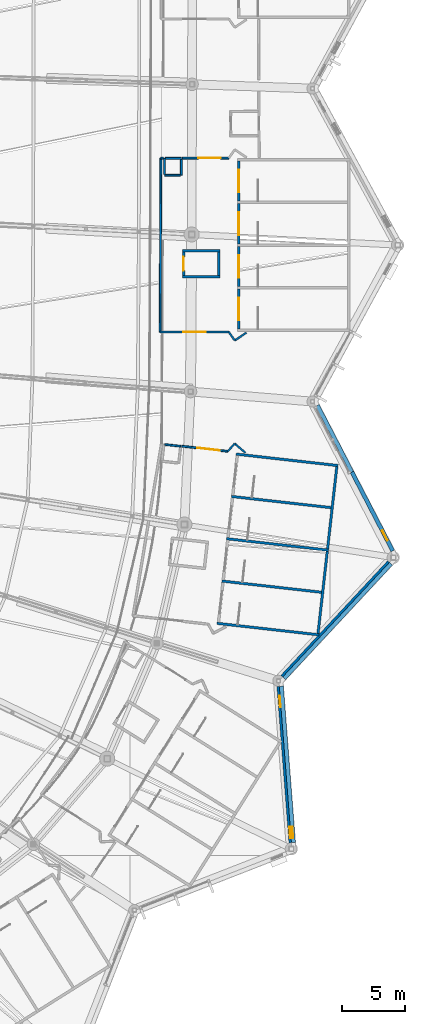
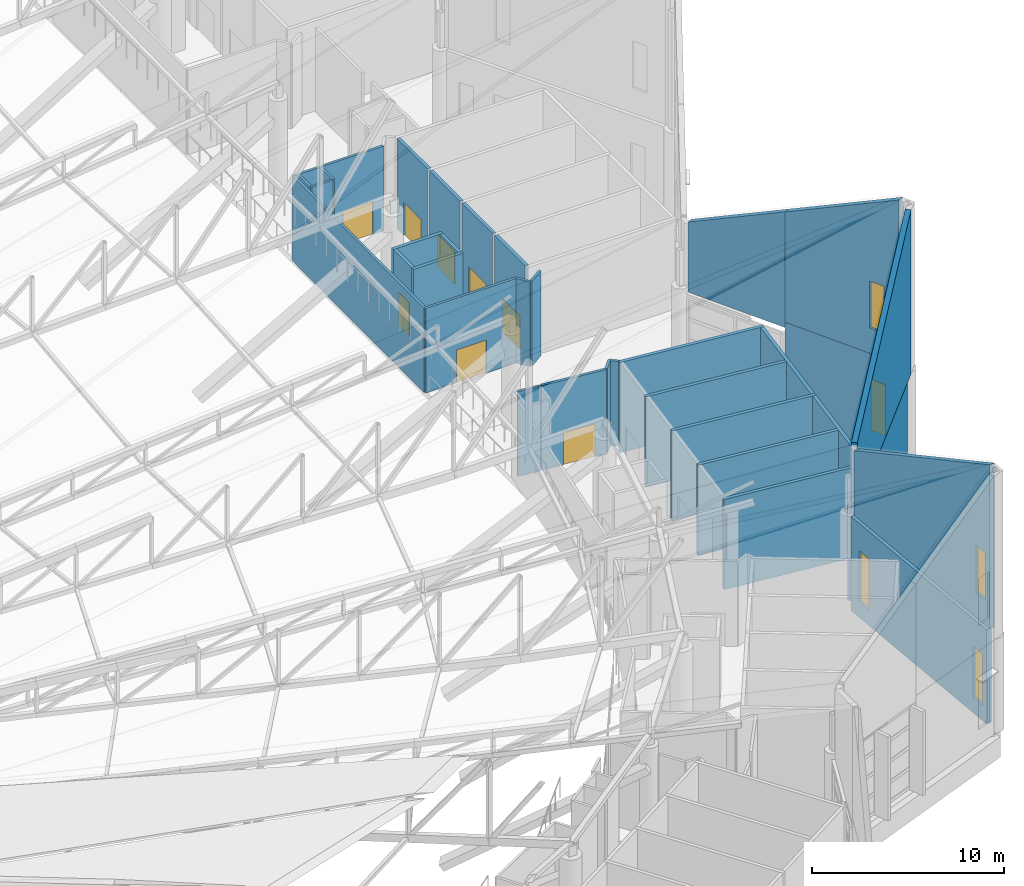
# One storey, part 257 of 344: 36 walls, 8 doors, 5 windows, 13 openings.
"""IFC4 building model written with IfcOpenShell, lengths in metres."""

from ifc_helpers import new_model, si_unit, direction, frame, frame_2d, origin, place, context, subcontext, project, spatial, polyline, rectangle, outline, extrude, material, layer, layer_set, type_object, element, fill, save


model = new_model("IFC4")

# Units and contexts
model_context = context("Model", 3, precision=1e-05, world=origin(), true_north=direction((0.0, 1.0)))
body_context = subcontext(model_context, "Body", "Model", "MODEL_VIEW")
ifc_project = project(units=[si_unit("LENGTHUNIT", "METRE"), si_unit("AREAUNIT", "SQUARE_METRE"), si_unit("VOLUMEUNIT", "CUBIC_METRE"), si_unit("PLANEANGLEUNIT", "RADIAN"), si_unit("MASSUNIT", "GRAM", prefix="KILO")], contexts=[model_context])

# Site, building, storey
site_placement = place(None, origin())
site = spatial("IfcSite", under=ifc_project, at=site_placement, CompositionType="ELEMENT")
building_placement = place(site_placement, origin())
building = spatial("IfcBuilding", under=site, at=building_placement, Name="Meseta Stadium", CompositionType="ELEMENT")
storey_placement = place(building_placement, frame((0.0, 0.0, 24.0)))
storey = spatial("IfcBuildingStorey", under=building, at=storey_placement, Name="L04", CompositionType="ELEMENT", Elevation=24.0)

# Walls
ifc_material_1 = material(Name="Concrete C40/50", Category="concrete")
ifc_layer_1 = layer(ifc_material_1, 0.199951171875)
ifc_layer_set_1 = layer_set([ifc_layer_1], Name="Core divider wall 200")
wall_type_1 = type_object("IfcWallType", Name="Core divider wall 200", PredefinedType="SHEAR", material=ifc_layer_set_1)
wall_1_placement = place(storey_placement, frame((95.503662109375, -58.999267578125, 0.0), z_axis=(0.0, 0.0, 1.0), x_axis=(-0.993710792168, 0.111977058046, 0.0)))
element("IfcWall", 1, at=wall_1_placement, inside=storey, type_object=wall_type_1, Name="Core 01 L04 stair A divider wall", PredefinedType="SHEAR", context=body_context, shape_type="SweptSolid", body=[
    extrude(rectangle(XDim=8.199951171875, YDim=0.199951171875, at=frame_2d((4.10009765625, 0.0))), origin(), (0.0, 0.0, 1.0), 5.75),
])
wall_2_placement = place(storey_placement, frame((96.264892578125, -52.241943359375, 0.0), z_axis=(0.0, 0.0, 1.0), x_axis=(-0.993713731549, 0.111950970206, 0.0)))
element("IfcWall", 2, at=wall_2_placement, inside=storey, type_object=wall_type_1, Name="Core 01 L04 stair B divider wall", PredefinedType="SHEAR", context=body_context, shape_type="SweptSolid", body=[
    extrude(rectangle(XDim=8.19970703125, YDim=0.199951171875, at=frame_2d((4.099853515625, 0.0))), origin(), (0.0, 0.0, 1.0), 5.75),
])
ifc_material_2 = material(Name="Concrete C40/50", Category="concrete")
ifc_layer_2 = layer(ifc_material_2, 0.199951171875)
ifc_layer_set_2 = layer_set([ifc_layer_2], Name="Core shaft wall 200")
wall_type_2 = type_object("IfcWallType", Name="Core shaft wall 200", PredefinedType="SHEAR", material=ifc_layer_set_2)
wall_3_placement = place(storey_placement, frame((95.123046875, -62.3779296875, 0.0), z_axis=(0.0, 0.0, 1.0), x_axis=(-0.993710792168, 0.111977058046, 0.0)))
element("IfcWall", 3, at=wall_3_placement, inside=storey, type_object=wall_type_2, Name="Core 01 L04 stair wall A-side", PredefinedType="SHEAR", context=body_context, shape_type="SweptSolid", body=[
    extrude(rectangle(XDim=8.199951171875, YDim=0.199951171875, at=frame_2d((4.10009765625, 0.0))), origin(), (0.0, 0.0, 1.0), 5.75),
])
wall_4_placement = place(storey_placement, frame((95.884521484375, -55.62060546875, 0.0), z_axis=(0.0, 0.0, 1.0), x_axis=(-0.993711165474, 0.111973745194, 0.0)))
element("IfcWall", 4, at=wall_4_placement, inside=storey, type_object=wall_type_2, Name="Core 01 L04 stair wall shared", PredefinedType="SHEAR", context=body_context, shape_type="SweptSolid", body=[
    extrude(rectangle(XDim=8.2001953125, YDim=0.199951171875, at=frame_2d((4.10009765625, 0.0))), origin(), (0.0, 0.0, 1.0), 5.75),
])
wall_5_placement = place(storey_placement, frame((96.645751953125, -48.86328125, 0.0), z_axis=(0.0, 0.0, 1.0), x_axis=(-0.993714104693, 0.111947658007, 0.0)))
element("IfcWall", 5, at=wall_5_placement, inside=storey, type_object=wall_type_2, Name="Core 01 L04 stair wall B-side", PredefinedType="SHEAR", context=body_context, shape_type="SweptSolid", body=[
    extrude(rectangle(XDim=8.199951171875, YDim=0.199951171875, at=frame_2d((4.10009765625, 0.0))), origin(), (0.0, 0.0, 1.0), 5.75),
])
for number, where, z_axis, x_axis, name in (
    (6, (95.034912109375, -62.267333984375, 0.0), (0.0, 0.0, 1.0), (0.111933579504, 0.993715690617, 0.0), "Core 01 L04 stair A outer end wall"),
    (7, (95.796142578125, -55.510009765625, 0.0), (0.0, 0.0, 1.0), (0.111970106426, 0.993711575492, 0.0), "Core 01 L04 stair B outer end wall"),
):
    element("IfcWall", number, at=place(storey_placement, frame(where, z_axis=z_axis, x_axis=x_axis)), inside=storey, type_object=wall_type_2, Name=name, PredefinedType="SHEAR", context=body_context, shape_type="SweptSolid", body=[
        extrude(rectangle(XDim=6.60009765625, YDim=0.199951171875, at=frame_2d((3.300048828125, 0.0))), origin(), (0.0, 0.0, 1.0), 5.75),
    ])

# Wall, opening, door
wall_6_placement = place(storey_placement, frame((88.699951171875, -37.949951171875, 0.0), z_axis=(0.0, 0.0, 1.0), x_axis=(0.0, 1.0, 0.0)))
wall_6 = element("IfcWall", 8, at=wall_6_placement, inside=storey, type_object=wall_type_2, Name="Core 02 L04 stair A1 inner end wall", PredefinedType="SHEAR", context=body_context, shape_type="SweptSolid", body=[
    extrude(rectangle(XDim=3.199951171875, YDim=0.199951171875, at=frame_2d((1.60009765625, 0.0))), origin(), (0.0, 0.0, 1.0), 5.75),
])
opening_1_placement = place(wall_6_placement, frame((0.699951171875, 0.0, 0.0)))
opening_1 = element("IfcOpeningElement", 9, at=opening_1_placement, cuts=wall_6, Name="Opening D1664", PredefinedType="OPENING", context=body_context, shape_type="SweptSolid", body=[
    extrude(rectangle(XDim=1.800048828125, YDim=2.10009765625, at=frame_2d((0.89990234375, 1.050048828125))), frame((0.0, 0.10986328125, 0.0), z_axis=(0.0, -1.0, 0.0), x_axis=(1.0, 0.0, 0.0)), (0.0, 0.0, 1.0), 0.219970703125),
])
ifc_material_3 = material(Name="Steel", Category="steel")
door_type_1 = type_object("IfcDoorType", Name="Stair door 1800x2100", OperationType="DOUBLE_DOOR_SINGLE_SWING", PredefinedType="DOOR", material=ifc_material_3)
door_1_placement = place(opening_1_placement, origin())
door_1 = element("IfcDoor", 10, at=door_1_placement, inside=storey, type_object=door_type_1, Name="Stair A1 door 02 L04", OperationType="DOUBLE_DOOR_SINGLE_SWING", OverallHeight=2.10009765625, OverallWidth=1.800048828125, PredefinedType="DOOR", context=body_context, shape_type="SweptSolid", body=[
    extrude(rectangle(XDim=1.800048828125, YDim=2.10009765625, at=frame_2d((0.89990234375, 1.050048828125))), frame((0.0, 0.02490234375, 0.0), z_axis=(0.0, -1.0, 0.0), x_axis=(1.0, 0.0, 0.0)), (0.0, 0.0, 1.0), 0.050048828125),
])
fill(opening_1, door_1)

wall_7_placement = place(storey_placement, frame((88.699951171875, -34.550048828125, 0.0), z_axis=(0.0, 0.0, 1.0), x_axis=(0.0, 1.0, 0.0)))
wall_7 = element("IfcWall", 11, at=wall_7_placement, inside=storey, type_object=wall_type_2, Name="Core 02 L04 stair A2 inner end wall", PredefinedType="SHEAR", context=body_context, shape_type="SweptSolid", body=[
    extrude(rectangle(XDim=3.199951171875, YDim=0.199951171875, at=frame_2d((1.60009765625, 0.0))), origin(), (0.0, 0.0, 1.0), 5.75),
])
opening_2_placement = place(wall_7_placement, frame((0.699951171875, 0.0, 0.0)))
opening_2 = element("IfcOpeningElement", 12, at=opening_2_placement, cuts=wall_7, Name="Opening D1665", PredefinedType="OPENING", context=body_context, shape_type="SweptSolid", body=[
    extrude(rectangle(XDim=1.800048828125, YDim=2.10009765625, at=frame_2d((0.89990234375, 1.050048828125))), frame((0.0, 0.10986328125, 0.0), z_axis=(0.0, -1.0, 0.0), x_axis=(1.0, 0.0, 0.0)), (0.0, 0.0, 1.0), 0.219970703125),
])
door_2_placement = place(opening_2_placement, origin())
door_2 = element("IfcDoor", 13, at=door_2_placement, inside=storey, type_object=door_type_1, Name="Stair A2 door 02 L04", OperationType="DOUBLE_DOOR_SINGLE_SWING", OverallHeight=2.10009765625, OverallWidth=1.800048828125, PredefinedType="DOOR", context=body_context, shape_type="SweptSolid", body=[
    extrude(rectangle(XDim=1.800048828125, YDim=2.10009765625, at=frame_2d((0.89990234375, 1.050048828125))), frame((0.0, 0.02490234375, 0.0), z_axis=(0.0, -1.0, 0.0), x_axis=(1.0, 0.0, 0.0)), (0.0, 0.0, 1.0), 0.050048828125),
])
fill(opening_2, door_2)

wall_8_placement = place(storey_placement, frame((88.699951171875, -31.14990234375, 0.0), z_axis=(0.0, 0.0, 1.0), x_axis=(0.0, 1.0, 0.0)))
wall_8 = element("IfcWall", 14, at=wall_8_placement, inside=storey, type_object=wall_type_2, Name="Core 02 L04 stair B1 inner end wall", PredefinedType="SHEAR", context=body_context, shape_type="SweptSolid", body=[
    extrude(rectangle(XDim=3.199951171875, YDim=0.199951171875, at=frame_2d((1.60009765625, 0.0))), origin(), (0.0, 0.0, 1.0), 5.75),
])
opening_3_placement = place(wall_8_placement, frame((0.699951171875, 0.0, 0.0)))
opening_3 = element("IfcOpeningElement", 15, at=opening_3_placement, cuts=wall_8, Name="Opening D1666", PredefinedType="OPENING", context=body_context, shape_type="SweptSolid", body=[
    extrude(rectangle(XDim=1.800048828125, YDim=2.10009765625, at=frame_2d((0.89990234375, 1.050048828125))), frame((0.0, 0.10986328125, 0.0), z_axis=(0.0, -1.0, 0.0), x_axis=(1.0, 0.0, 0.0)), (0.0, 0.0, 1.0), 0.219970703125),
])
door_3_placement = place(opening_3_placement, origin())
door_3 = element("IfcDoor", 16, at=door_3_placement, inside=storey, type_object=door_type_1, Name="Stair B1 door 02 L04", OperationType="DOUBLE_DOOR_SINGLE_SWING", OverallHeight=2.10009765625, OverallWidth=1.800048828125, PredefinedType="DOOR", context=body_context, shape_type="SweptSolid", body=[
    extrude(rectangle(XDim=1.800048828125, YDim=2.10009765625, at=frame_2d((0.89990234375, 1.050048828125))), frame((0.0, 0.02490234375, 0.0), z_axis=(0.0, -1.0, 0.0), x_axis=(1.0, 0.0, 0.0)), (0.0, 0.0, 1.0), 0.050048828125),
])
fill(opening_3, door_3)

wall_9_placement = place(storey_placement, frame((88.699951171875, -27.75, 0.0), z_axis=(0.0, 0.0, 1.0), x_axis=(0.0, 1.0, 0.0)))
wall_9 = element("IfcWall", 17, at=wall_9_placement, inside=storey, type_object=wall_type_2, Name="Core 02 L04 stair B2 inner end wall", PredefinedType="SHEAR", context=body_context, shape_type="SweptSolid", body=[
    extrude(rectangle(XDim=3.199951171875, YDim=0.199951171875, at=frame_2d((1.60009765625, 0.0))), origin(), (0.0, 0.0, 1.0), 5.75),
])
opening_4_placement = place(wall_9_placement, frame((0.699951171875, 0.0, 0.0)))
opening_4 = element("IfcOpeningElement", 18, at=opening_4_placement, cuts=wall_9, Name="Opening D1667", PredefinedType="OPENING", context=body_context, shape_type="SweptSolid", body=[
    extrude(rectangle(XDim=1.800048828125, YDim=2.10009765625, at=frame_2d((0.89990234375, 1.050048828125))), frame((0.0, 0.10986328125, 0.0), z_axis=(0.0, -1.0, 0.0), x_axis=(1.0, 0.0, 0.0)), (0.0, 0.0, 1.0), 0.219970703125),
])
door_4_placement = place(opening_4_placement, origin())
door_4 = element("IfcDoor", 19, at=door_4_placement, inside=storey, type_object=door_type_1, Name="Stair B2 door 02 L04", OperationType="DOUBLE_DOOR_SINGLE_SWING", OverallHeight=2.10009765625, OverallWidth=1.800048828125, PredefinedType="DOOR", context=body_context, shape_type="SweptSolid", body=[
    extrude(rectangle(XDim=1.800048828125, YDim=2.10009765625, at=frame_2d((0.89990234375, 1.050048828125))), frame((0.0, 0.02490234375, 0.0), z_axis=(0.0, -1.0, 0.0), x_axis=(1.0, 0.0, 0.0)), (0.0, 0.0, 1.0), 0.050048828125),
])
fill(opening_4, door_4)

# Walls
for number, where, z_axis, x_axis, name in (
    (20, (87.199951171875, -33.800048828125, 0.0), (0.0, 0.0, 1.0), (-1.0, 0.0, 0.0), "Core 02 L04 lift shaft wall left"),
    (21, (87.199951171875, -31.699951171875, 0.0), (0.0, 0.0, 1.0), (-1.0, 0.0, 0.0), "Core 02 L04 lift shaft wall right"),
):
    element("IfcWall", number, at=place(storey_placement, frame(where, z_axis=z_axis, x_axis=x_axis)), inside=storey, type_object=wall_type_2, Name=name, PredefinedType="SHEAR", context=body_context, shape_type="SweptSolid", body=[
        extrude(rectangle(XDim=3.0, YDim=0.199951171875, at=frame_2d((1.5, 0.0))), origin(), (0.0, 0.0, 1.0), 4.60009765625),
    ])
wall_10_placement = place(storey_placement, frame((87.10009765625, -33.699951171875, 0.0), z_axis=(0.0, 0.0, 1.0), x_axis=(0.0, 1.0, 0.0)))
element("IfcWall", 22, at=wall_10_placement, inside=storey, type_object=wall_type_2, Name="Core 02 L04 lift shaft back wall", PredefinedType="SHEAR", context=body_context, shape_type="SweptSolid", body=[
    extrude(rectangle(XDim=1.89990234375, YDim=0.199951171875, at=frame_2d((0.949951171875, 0.0))), origin(), (0.0, 0.0, 1.0), 4.60009765625),
])

# Wall, opening, door
wall_11_placement = place(storey_placement, frame((84.300048828125, -33.699951171875, 0.0), z_axis=(0.0, 0.0, 1.0), x_axis=(0.0, 1.0, 0.0)))
wall_11 = element("IfcWall", 23, at=wall_11_placement, inside=storey, type_object=wall_type_2, Name="Core 02 L04 lift shaft front wall", PredefinedType="SHEAR", context=body_context, shape_type="SweptSolid", body=[
    extrude(rectangle(XDim=1.89990234375, YDim=0.199951171875, at=frame_2d((0.949951171875, 0.0))), origin(), (0.0, 0.0, 1.0), 4.60009765625),
])
opening_5_placement = place(wall_11_placement, frame((0.39990234375, 0.0, 0.0)))
opening_5 = element("IfcOpeningElement", 24, at=opening_5_placement, cuts=wall_11, Name="Opening LD12", PredefinedType="OPENING", context=body_context, shape_type="SweptSolid", body=[
    extrude(rectangle(XDim=1.10009765625, YDim=2.10009765625, at=frame_2d((0.550048828125, 1.050048828125))), frame((0.0, 0.10986328125, 0.0), z_axis=(0.0, -1.0, 0.0), x_axis=(1.0, 0.0, 0.0)), (0.0, 0.0, 1.0), 0.219970703125),
])
ifc_material_4 = material(Name="Steel", Category="steel")
door_type_2 = type_object("IfcDoorType", Name="Lift landing door 1100x2100", OperationType="SLIDING_TO_LEFT", PredefinedType="DOOR", material=ifc_material_4)
door_5_placement = place(opening_5_placement, origin())
door_5 = element("IfcDoor", 25, at=door_5_placement, inside=storey, type_object=door_type_2, Name="Lift landing door LD12", OperationType="SLIDING_TO_RIGHT", OverallHeight=2.10009765625, OverallWidth=1.10009765625, PredefinedType="DOOR", context=body_context, shape_type="SweptSolid", body=[
    extrude(rectangle(XDim=1.10009765625, YDim=2.10009765625, at=frame_2d((0.550048828125, 1.050048828125))), frame((0.0, 0.02490234375, 0.0), z_axis=(0.0, -1.0, 0.0), x_axis=(1.0, 0.0, 0.0)), (0.0, 0.0, 1.0), 0.050048828125),
])
fill(opening_5, door_5)

# Walls
ifc_material_5 = material(Name="Masonry blockwork", Category="masonry")
ifc_layer_3 = layer(ifc_material_5, 0.14990234375)
ifc_layer_set_3 = layer_set([ifc_layer_3], Name="Partition 150")
wall_type_3 = type_object("IfcWallType", Name="Partition 150", PredefinedType="PARTITIONING", material=ifc_layer_set_3)
wall_12_placement = place(storey_placement, frame((84.064453125, -47.320068359375, 0.0), z_axis=(0.0, 0.0, 1.0), x_axis=(-0.993707363865, 0.11200747743, 0.0)))
element("IfcWall", 26, at=wall_12_placement, inside=storey, type_object=wall_type_3, Name="Pressurisation shaft wall L04 core 01", PredefinedType="PARTITIONING", context=body_context, shape_type="SweptSolid", body=[
    extrude(rectangle(XDim=1.275146484375, YDim=0.14990234375, at=frame_2d((0.6376953125, 0.0))), origin(), (0.0, 0.0, 1.0), 5.39990234375),
])
wall_13_placement = place(storey_placement, frame((89.233642578125, -47.837646484375, 0.0), z_axis=(0.0, 0.0, 1.0), x_axis=(-0.758277272593, 0.651932188091, 0.0)))
element("IfcWall", 27, at=wall_13_placement, inside=storey, type_object=wall_type_3, Name="Stair vestibule wall L04 core 01", PredefinedType="PARTITIONING", context=body_context, shape_type="SweptSolid", body=[
    extrude(rectangle(XDim=1.127197265625, YDim=0.14990234375, at=frame_2d((0.5634765625, 0.0))), origin(), (0.0, 0.0, 1.0), 5.39990234375),
])
wall_14_placement = place(storey_placement, frame((88.37890625, -47.102783203125, 0.0), z_axis=(0.0, 0.0, 1.0), x_axis=(-0.664272575109, -0.747490432018, 0.0)))
element("IfcWall", 28, at=wall_14_placement, inside=storey, type_object=wall_type_3, Name="Stair vestibule wall L04 core 01", PredefinedType="PARTITIONING", context=body_context, shape_type="SweptSolid", body=[
    extrude(rectangle(XDim=0.830322265625, YDim=0.14990234375, at=frame_2d((0.4150390625, 0.0))), origin(), (0.0, 0.0, 1.0), 5.39990234375),
])

# Wall, opening, door
wall_15_placement = place(storey_placement, frame((87.827392578125, -47.723388671875, 0.0), z_axis=(0.0, 0.0, 1.0), x_axis=(-0.993709696009, 0.11198678519, 0.0)))
wall_15 = element("IfcWall", 29, at=wall_15_placement, inside=storey, type_object=wall_type_3, Name="Stair vestibule wall L04 core 01", PredefinedType="PARTITIONING", context=body_context, shape_type="SweptSolid", body=[
    extrude(rectangle(XDim=3.703857421875, YDim=0.14990234375, at=frame_2d((1.85205078125, 0.0))), origin(), (0.0, 0.0, 1.0), 5.39990234375),
])
opening_6_placement = place(wall_15_placement, frame((0.64990234375, 0.0, 0.0)))
opening_6 = element("IfcOpeningElement", 30, at=opening_6_placement, cuts=wall_15, Name="Opening D1649", PredefinedType="OPENING", context=body_context, shape_type="SweptSolid", body=[
    extrude(rectangle(XDim=1.800048828125, YDim=2.10009765625, at=frame_2d((0.89990234375, 1.050048828125))), frame((0.0, 0.0849609375, 0.0), z_axis=(0.0, -1.0, 0.0), x_axis=(1.0, 0.0, 0.0)), (0.0, 0.0, 1.0), 0.169921875),
])
ifc_material_6 = material(Name="Steel", Category="steel")
door_type_3 = type_object("IfcDoorType", Name="Fire double door 1800x2100 EI2 60", OperationType="DOUBLE_DOOR_SINGLE_SWING", PredefinedType="DOOR", material=ifc_material_6)
door_6_placement = place(opening_6_placement, origin())
door_6 = element("IfcDoor", 31, at=door_6_placement, inside=storey, type_object=door_type_3, Name="Stair vestibule door L04 core 01", OperationType="DOUBLE_DOOR_SINGLE_SWING", OverallHeight=2.10009765625, OverallWidth=1.800048828125, PredefinedType="DOOR", context=body_context, shape_type="SweptSolid", body=[
    extrude(rectangle(XDim=1.800048828125, YDim=2.10009765625, at=frame_2d((0.89990234375, 1.050048828125))), frame((0.0, 0.02490234375, 0.0), z_axis=(0.0, -1.0, 0.0), x_axis=(1.0, 0.0, 0.0)), (0.0, 0.0, 1.0), 0.050048828125),
])
fill(opening_6, door_6)

# Walls
wall_16_placement = place(storey_placement, frame((84.125, -25.675048828125, 0.0), z_axis=(0.0, 0.0, 1.0), x_axis=(0.0, 1.0, 0.0)))
element("IfcWall", 32, at=wall_16_placement, inside=storey, type_object=wall_type_3, Name="Pressurisation shaft wall L04 core 02", PredefinedType="PARTITIONING", context=body_context, shape_type="SweptSolid", body=[
    extrude(rectangle(XDim=1.275146484375, YDim=0.14990234375, at=frame_2d((0.6376953125, 0.0))), origin(), (0.0, 0.0, 1.0), 5.39990234375),
])
wall_17_placement = place(storey_placement, frame((84.125, -24.324951171875, 0.0), z_axis=(0.0, 0.0, 1.0), x_axis=(-1.0, 0.0, 0.0)))
element("IfcWall", 33, at=wall_17_placement, inside=storey, type_object=wall_type_3, Name="Pressurisation shaft wall L04 core 02", PredefinedType="PARTITIONING", context=body_context, shape_type="SweptSolid", body=[
    extrude(rectangle(XDim=1.27490234375, YDim=0.14990234375, at=frame_2d((0.637451171875, 0.0))), origin(), (0.0, 0.0, 1.0), 5.39990234375),
])
for number, where, z_axis, x_axis, name in (
    (34, (82.77490234375, -24.324951171875, 0.0), (0.0, 0.0, 1.0), (0.0, -1.0, 0.0), "Pressurisation shaft wall L04 core 02"),
    (35, (82.77490234375, -25.675048828125, 0.0), (0.0, 0.0, 1.0), (1.0, 0.0, 0.0), "Pressurisation shaft wall L04 core 02"),
):
    element("IfcWall", number, at=place(storey_placement, frame(where, z_axis=z_axis, x_axis=x_axis)), inside=storey, type_object=wall_type_3, Name=name, PredefinedType="PARTITIONING", context=body_context, shape_type="SweptSolid", body=[
        extrude(rectangle(XDim=1.275146484375, YDim=0.14990234375, at=frame_2d((0.6376953125, 0.0))), origin(), (0.0, 0.0, 1.0), 5.39990234375),
    ])
wall_18_placement = place(storey_placement, frame((82.68994140625, -24.304443359375, 0.0), z_axis=(0.0, 0.0, 1.0), x_axis=(-1.0, 0.0, 0.0)))
element("IfcWall", 36, at=wall_18_placement, inside=storey, type_object=wall_type_3, Name="Stair vestibule wall L04 core 02", PredefinedType="PARTITIONING", context=body_context, shape_type="SweptSolid", body=[
    extrude(rectangle(XDim=0.204833984375, YDim=0.14990234375, at=frame_2d((0.1025390625, 0.0))), origin(), (0.0, 0.0, 1.0), 5.39990234375),
])
wall_19_placement = place(storey_placement, frame((82.485107421875, -24.304443359375, 0.0), z_axis=(0.0, 0.0, 1.0), x_axis=(-0.004200609734, -0.9999911774, 0.0)))
element("IfcWall", 37, at=wall_19_placement, inside=storey, type_object=wall_type_3, Name="Stair vestibule wall L04 core 02", PredefinedType="PARTITIONING", context=body_context, shape_type="SweptSolid", body=[
    extrude(rectangle(XDim=13.890869140625, YDim=0.14990234375, at=frame_2d((6.9453125, 0.0))), origin(), (0.0, 0.0, 1.0), 5.39990234375),
])

# Wall, opening, door
wall_20_placement = place(storey_placement, frame((82.4267578125, -38.195068359375, 0.0), z_axis=(0.0, 0.0, 1.0), x_axis=(1.0, 0.0, 0.0)))
wall_20 = element("IfcWall", 38, at=wall_20_placement, inside=storey, type_object=wall_type_3, Name="Stair vestibule wall L04 core 02", PredefinedType="PARTITIONING", context=body_context, shape_type="SweptSolid", body=[
    extrude(rectangle(XDim=5.482421875, YDim=0.14990234375, at=frame_2d((2.7412109375, 0.0))), origin(), (0.0, 0.0, 1.0), 5.39990234375),
])
opening_7_placement = place(wall_20_placement, frame((1.85009765625, 0.0, 0.0)))
opening_7 = element("IfcOpeningElement", 39, at=opening_7_placement, cuts=wall_20, Name="Opening D1645", PredefinedType="OPENING", context=body_context, shape_type="SweptSolid", body=[
    extrude(rectangle(XDim=1.800048828125, YDim=2.10009765625, at=frame_2d((0.89990234375, 1.050048828125))), frame((0.0, 0.0849609375, 0.0), z_axis=(0.0, -1.0, 0.0), x_axis=(1.0, 0.0, 0.0)), (0.0, 0.0, 1.0), 0.169921875),
])
door_7_placement = place(opening_7_placement, origin())
door_7 = element("IfcDoor", 40, at=door_7_placement, inside=storey, type_object=door_type_3, Name="Stair vestibule door L04 core 02", OperationType="DOUBLE_DOOR_SINGLE_SWING", OverallHeight=2.10009765625, OverallWidth=1.800048828125, PredefinedType="DOOR", context=body_context, shape_type="SweptSolid", body=[
    extrude(rectangle(XDim=1.800048828125, YDim=2.10009765625, at=frame_2d((0.89990234375, 1.050048828125))), frame((0.0, 0.02490234375, 0.0), z_axis=(0.0, -1.0, 0.0), x_axis=(1.0, 0.0, 0.0)), (0.0, 0.0, 1.0), 0.050048828125),
])
fill(opening_7, door_7)

# Walls
wall_21_placement = place(storey_placement, frame((87.9091796875, -38.195068359375, 0.0), z_axis=(0.0, 0.0, 1.0), x_axis=(0.575573582652, -0.81774999294, 0.0)))
element("IfcWall", 41, at=wall_21_placement, inside=storey, type_object=wall_type_3, Name="Stair vestibule wall L04 core 02", PredefinedType="PARTITIONING", context=body_context, shape_type="SweptSolid", body=[
    extrude(rectangle(XDim=0.82958984375, YDim=0.14990234375, at=frame_2d((0.414794921875, 0.0))), origin(), (0.0, 0.0, 1.0), 5.39990234375),
])
wall_22_placement = place(storey_placement, frame((88.38671875, -38.87353515625, 0.0), z_axis=(0.0, 0.0, 1.0), x_axis=(0.827055308354, 0.562120553728, 0.0)))
element("IfcWall", 42, at=wall_22_placement, inside=storey, type_object=wall_type_3, Name="Stair vestibule wall L04 core 02", PredefinedType="PARTITIONING", context=body_context, shape_type="SweptSolid", body=[
    extrude(rectangle(XDim=1.1279296875, YDim=0.14990234375, at=frame_2d((0.56396484375, 0.0))), origin(), (0.0, 0.0, 1.0), 5.39990234375),
])

# Wall, opening, door
wall_23_placement = place(storey_placement, frame((87.909423828125, -24.3046875, 0.0), z_axis=(0.0, 0.0, 1.0), x_axis=(-1.0, 0.0, 0.0)))
wall_23 = element("IfcWall", 43, at=wall_23_placement, inside=storey, type_object=wall_type_3, Name="Stair vestibule wall L04 core 02", PredefinedType="PARTITIONING", context=body_context, shape_type="SweptSolid", body=[
    extrude(rectangle(XDim=3.703857421875, YDim=0.14990234375, at=frame_2d((1.85205078125, 0.0))), origin(), (0.0, 0.0, 1.0), 5.39990234375),
])
opening_8_placement = place(wall_23_placement, frame((0.64990234375, 0.0, 0.0)))
opening_8 = element("IfcOpeningElement", 44, at=opening_8_placement, cuts=wall_23, Name="Opening D1652", PredefinedType="OPENING", context=body_context, shape_type="SweptSolid", body=[
    extrude(rectangle(XDim=1.800048828125, YDim=2.10009765625, at=frame_2d((0.89990234375, 1.050048828125))), frame((0.0, 0.0849609375, 0.0), z_axis=(0.0, -1.0, 0.0), x_axis=(1.0, 0.0, 0.0)), (0.0, 0.0, 1.0), 0.169921875),
])
door_8_placement = place(opening_8_placement, origin())
door_8 = element("IfcDoor", 45, at=door_8_placement, inside=storey, type_object=door_type_3, Name="Stair vestibule door L04 core 02", OperationType="DOUBLE_DOOR_SINGLE_SWING", OverallHeight=2.10009765625, OverallWidth=1.800048828125, PredefinedType="DOOR", context=body_context, shape_type="SweptSolid", body=[
    extrude(rectangle(XDim=1.800048828125, YDim=2.10009765625, at=frame_2d((0.89990234375, 1.050048828125))), frame((0.0, 0.02490234375, 0.0), z_axis=(0.0, -1.0, 0.0), x_axis=(1.0, 0.0, 0.0)), (0.0, 0.0, 1.0), 0.050048828125),
])
fill(opening_8, door_8)

# Wall, opening, window
ifc_material_7 = material(Name="White precast concrete C40/50", Category="concrete")
ifc_layer_4 = layer(ifc_material_7, 0.320068359375)
ifc_layer_set_4 = layer_set([ifc_layer_4], Name="Pleated fascia panel 320 raked")
wall_type_4 = type_object("IfcWallType", Name="Pleated fascia panel 320 raked", PredefinedType="SOLIDWALL", material=ifc_layer_set_4)
wall_24_placement = place(storey_placement, frame((97.74462890625, -49.384765625, 6.0), z_axis=(0.0, 0.0, 1.0), x_axis=(0.459989799354, -0.887924199743, 0.0)))
wall_24 = element("IfcWall", 46, at=wall_24_placement, inside=storey, type_object=wall_type_4, Name="Pleated fascia panel L04 F00", PredefinedType="SOLIDWALL", context=body_context, shape_type="SweptSolid", body=[
    extrude(outline(polyline([(0.0, 0.0), (7.075439453125, 0.0), (7.075439453125, 10.44775390625), (0.0, 7.01708984375), (0.0, 0.0)])), frame((0.0, 0.16015625, 0.0), z_axis=(0.0, -1.0, 0.0), x_axis=(1.0, 0.0, 0.0)), (0.0, 0.0, 1.0), 0.320068359375),
])
opening_9_placement = place(wall_24_placement, frame((5.250244140625, 0.0, 1.60009765625)))
opening_9 = element("IfcOpeningElement", 47, at=opening_9_placement, cuts=wall_24, Name="Opening W316", PredefinedType="OPENING", context=body_context, shape_type="SweptSolid", body=[
    extrude(rectangle(XDim=0.89990234375, YDim=3.0, at=frame_2d((0.449951171875, 1.5))), frame((0.0, 0.169921875, 0.0), z_axis=(0.0, -1.0, 0.0), x_axis=(1.0, 0.0, 0.0)), (0.0, 0.0, 1.0), 0.340087890625),
])
ifc_material_8 = material(Name="Aluminium", Category="aluminium")
window_type_1 = type_object("IfcWindowType", Name="Slot window 900x3000", PartitioningType="SINGLE_PANEL", PredefinedType="WINDOW", material=ifc_material_8)
window_1_placement = place(opening_9_placement, origin())
window_1 = element("IfcWindow", 48, at=window_1_placement, inside=storey, type_object=window_type_1, Name="Slot window L04 F00.6", OverallHeight=3.0, OverallWidth=0.89990234375, PartitioningType="SINGLE_PANEL", PredefinedType="WINDOW", context=body_context, shape_type="SweptSolid", body=[
    extrude(rectangle(XDim=0.89990234375, YDim=3.0, at=frame_2d((0.449951171875, 1.5))), frame((0.0, 0.030029296875, 0.0), z_axis=(0.0, -1.0, 0.0), x_axis=(1.0, 0.0, 0.0)), (0.0, 0.0, 1.0), 0.06005859375),
])
fill(opening_9, window_1)

# Wall
wall_25_placement = place(storey_placement, frame((94.984375, -44.057373046875, 5.64990234375), z_axis=(0.0, 0.0, 1.0), x_axis=(0.460041593728, -0.887897365713, 0.0)))
element("IfcWall", 49, at=wall_25_placement, inside=storey, type_object=wall_type_4, Name="Pleated facade panel above atrium F00", PredefinedType="SOLIDWALL", context=body_context, shape_type="SweptSolid", body=[
    extrude(outline(polyline([(0.0, 0.0), (6.0, 0.0), (6.0, 7.3671875), (0.0, 4.458251953125), (0.0, 0.0)])), frame((0.0, 0.16015625, 0.0), z_axis=(0.0, -1.0, 0.0), x_axis=(1.0, 0.0, 0.0)), (0.0, 0.0, 1.0), 0.320068359375),
])

# Wall, opening, window
wall_26_placement = place(storey_placement, frame((92.106689453125, -66.484375, 6.0), z_axis=(0.0, 0.0, 1.0), x_axis=(0.076945644854, -0.997035289114, 0.0)))
wall_26 = element("IfcWall", 50, at=wall_26_placement, inside=storey, type_object=wall_type_4, Name="Pleated fascia panel L04 F54", PredefinedType="SOLIDWALL", context=body_context, shape_type="SweptSolid", body=[
    extrude(outline(polyline([(0.0, 0.0), (12.513916015625, 0.0), (12.513671875, 10.437744140625), (0.0, 4.1171875), (0.0, 0.0)])), frame((0.0, 0.16015625, 0.0), z_axis=(0.0, -1.0, 0.0), x_axis=(1.0, 0.0, 0.0)), (0.0, 0.0, 1.0), 0.320068359375),
])
opening_10_placement = place(wall_26_placement, frame((11.25048828125, 0.0, 1.60009765625)))
opening_10 = element("IfcOpeningElement", 51, at=opening_10_placement, cuts=wall_26, Name="Opening W301", PredefinedType="OPENING", context=body_context, shape_type="SweptSolid", body=[
    extrude(rectangle(XDim=0.89990234375, YDim=3.0, at=frame_2d((0.449951171875, 1.5))), frame((0.0, 0.169921875, 0.0), z_axis=(0.0, -1.0, 0.0), x_axis=(1.0, 0.0, 0.0)), (0.0, 0.0, 1.0), 0.340087890625),
])
window_2_placement = place(opening_10_placement, origin())
window_2 = element("IfcWindow", 52, at=window_2_placement, inside=storey, type_object=window_type_1, Name="Slot window L04 F54.6", OverallHeight=3.0, OverallWidth=0.89990234375, PartitioningType="SINGLE_PANEL", PredefinedType="WINDOW", context=body_context, shape_type="SweptSolid", body=[
    extrude(rectangle(XDim=0.89990234375, YDim=3.0, at=frame_2d((0.449951171875, 1.5))), frame((0.0, 0.030029296875, 0.0), z_axis=(0.0, -1.0, 0.0), x_axis=(1.0, 0.0, 0.0)), (0.0, 0.0, 1.0), 0.06005859375),
])
fill(opening_10, window_2)

# Wall
wall_27_placement = place(storey_placement, frame((100.857421875, -56.70458984375, 6.0), z_axis=(0.0, 0.0, 1.0), x_axis=(-0.681794658463, -0.731543603411, 0.0)))
element("IfcWall", 53, at=wall_27_placement, inside=storey, type_object=wall_type_4, Name="Pleated fascia panel L04 F55", PredefinedType="SOLIDWALL", context=body_context, shape_type="SweptSolid", body=[
    extrude(outline(polyline([(0.0, 0.0), (12.513916015625, 0.0), (12.513916015625, 4.116943359375), (0.0, 10.437744140625), (0.0, 0.0)])), frame((0.0, 0.16015625, 0.0), z_axis=(0.0, -1.0, 0.0), x_axis=(1.0, 0.0, 0.0)), (0.0, 0.0, 1.0), 0.320068359375),
])

# Wall, opening, window
ifc_material_9 = material(Name="White precast concrete C40/50", Category="concrete")
ifc_layer_5 = layer(ifc_material_9, 0.320068359375)
ifc_layer_set_5 = layer_set([ifc_layer_5], Name="Pleated panel wall 320")
wall_type_5 = type_object("IfcWallType", Name="Pleated panel wall 320", PredefinedType="SOLIDWALL", material=ifc_layer_set_5)
wall_28_placement = place(storey_placement, frame((97.74462890625, -49.384765625, 0.0), z_axis=(0.0, 0.0, 1.0), x_axis=(0.459989799354, -0.887924199743, 0.0)))
wall_28 = element("IfcWall", 54, at=wall_28_placement, inside=storey, type_object=wall_type_5, Name="Pleated facade panel L04 F00", PredefinedType="SOLIDWALL", context=body_context, shape_type="SweptSolid", body=[
    extrude(rectangle(XDim=7.075439453125, YDim=0.320068359375, at=frame_2d((3.53759765625, 0.0))), origin(), (0.0, 0.0, 1.0), 6.0),
])
opening_11_placement = place(wall_28_placement, frame((5.250244140625, 0.0, 1.0)))
opening_11 = element("IfcOpeningElement", 55, at=opening_11_placement, cuts=wall_28, Name="Opening W315", PredefinedType="OPENING", context=body_context, shape_type="SweptSolid", body=[
    extrude(rectangle(XDim=0.89990234375, YDim=3.25, at=frame_2d((0.449951171875, 1.625))), frame((0.0, 0.169921875, 0.0), z_axis=(0.0, -1.0, 0.0), x_axis=(1.0, 0.0, 0.0)), (0.0, 0.0, 1.0), 0.340087890625),
])
ifc_material_10 = material(Name="Aluminium", Category="aluminium")
window_type_2 = type_object("IfcWindowType", Name="Slot window 900x3250", PartitioningType="SINGLE_PANEL", PredefinedType="WINDOW", material=ifc_material_10)
window_3_placement = place(opening_11_placement, origin())
window_3 = element("IfcWindow", 56, at=window_3_placement, inside=storey, type_object=window_type_2, Name="Slot window L04 F00.6", OverallHeight=3.25, OverallWidth=0.89990234375, PartitioningType="SINGLE_PANEL", PredefinedType="WINDOW", context=body_context, shape_type="SweptSolid", body=[
    extrude(rectangle(XDim=0.89990234375, YDim=3.25, at=frame_2d((0.449951171875, 1.625))), frame((0.0, 0.030029296875, 0.0), z_axis=(0.0, -1.0, 0.0), x_axis=(1.0, 0.0, 0.0)), (0.0, 0.0, 1.0), 0.06005859375),
])
fill(opening_11, window_3)

# Wall, openings, windows
wall_29_placement = place(storey_placement, frame((91.9072265625, -66.499755859375, 0.0), z_axis=(0.0, 0.0, 1.0), x_axis=(0.076945644854, -0.997035289114, 0.0)))
wall_29 = element("IfcWall", 57, at=wall_29_placement, inside=storey, type_object=wall_type_5, Name="Pleated facade panel L04 F54", PredefinedType="SOLIDWALL", context=body_context, shape_type="SweptSolid", body=[
    extrude(rectangle(XDim=12.513916015625, YDim=0.320068359375, at=frame_2d((6.2568359375, 0.0))), origin(), (0.0, 0.0, 1.0), 6.0),
])
opening_12_placement = place(wall_29_placement, frame((0.75048828125, 0.0, 1.0)))
opening_12 = element("IfcOpeningElement", 58, at=opening_12_placement, cuts=wall_29, Name="Opening W299", PredefinedType="OPENING", context=body_context, shape_type="SweptSolid", body=[
    extrude(rectangle(XDim=0.89990234375, YDim=3.25, at=frame_2d((0.449951171875, 1.625))), frame((0.0, 0.169921875, 0.0), z_axis=(0.0, -1.0, 0.0), x_axis=(1.0, 0.0, 0.0)), (0.0, 0.0, 1.0), 0.340087890625),
])
opening_13_placement = place(wall_29_placement, frame((11.25048828125, 0.0, 1.0)))
opening_13 = element("IfcOpeningElement", 59, at=opening_13_placement, cuts=wall_29, Name="Opening W300", PredefinedType="OPENING", context=body_context, shape_type="SweptSolid", body=[
    extrude(rectangle(XDim=0.89990234375, YDim=3.25, at=frame_2d((0.449951171875, 1.625))), frame((0.0, 0.169921875, 0.0), z_axis=(0.0, -1.0, 0.0), x_axis=(1.0, 0.0, 0.0)), (0.0, 0.0, 1.0), 0.340087890625),
])
window_4_placement = place(opening_12_placement, origin())
window_4 = element("IfcWindow", 60, at=window_4_placement, inside=storey, type_object=window_type_2, Name="Slot window L04 F54.1", OverallHeight=3.25, OverallWidth=0.89990234375, PartitioningType="SINGLE_PANEL", PredefinedType="WINDOW", context=body_context, shape_type="SweptSolid", body=[
    extrude(rectangle(XDim=0.89990234375, YDim=3.25, at=frame_2d((0.449951171875, 1.625))), frame((0.0, 0.030029296875, 0.0), z_axis=(0.0, -1.0, 0.0), x_axis=(1.0, 0.0, 0.0)), (0.0, 0.0, 1.0), 0.06005859375),
])
fill(opening_12, window_4)
window_5_placement = place(opening_13_placement, origin())
window_5 = element("IfcWindow", 61, at=window_5_placement, inside=storey, type_object=window_type_2, Name="Slot window L04 F54.6", OverallHeight=3.25, OverallWidth=0.89990234375, PartitioningType="SINGLE_PANEL", PredefinedType="WINDOW", context=body_context, shape_type="SweptSolid", body=[
    extrude(rectangle(XDim=0.89990234375, YDim=3.25, at=frame_2d((0.449951171875, 1.625))), frame((0.0, 0.030029296875, 0.0), z_axis=(0.0, -1.0, 0.0), x_axis=(1.0, 0.0, 0.0)), (0.0, 0.0, 1.0), 0.06005859375),
])
fill(opening_13, window_5)

# Wall
wall_30_placement = place(storey_placement, frame((100.711181640625, -56.568115234375, 0.0), z_axis=(0.0, 0.0, 1.0), x_axis=(-0.681794658463, -0.731543603411, 0.0)))
element("IfcWall", 62, at=wall_30_placement, inside=storey, type_object=wall_type_5, Name="Pleated facade panel L04 F55", PredefinedType="SOLIDWALL", context=body_context, shape_type="SweptSolid", body=[
    extrude(rectangle(XDim=12.513916015625, YDim=0.320068359375, at=frame_2d((6.2568359375, 0.0))), origin(), (0.0, 0.0, 1.0), 6.0),
])

save(model, "model.ifc")
